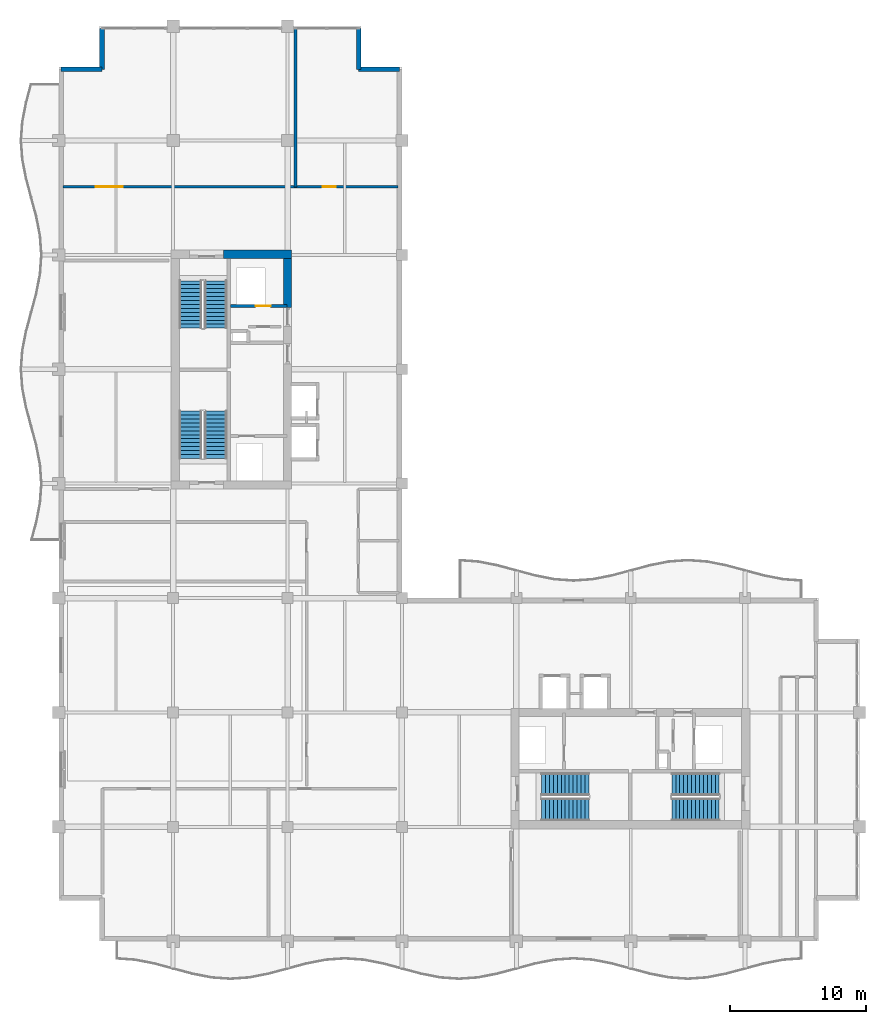
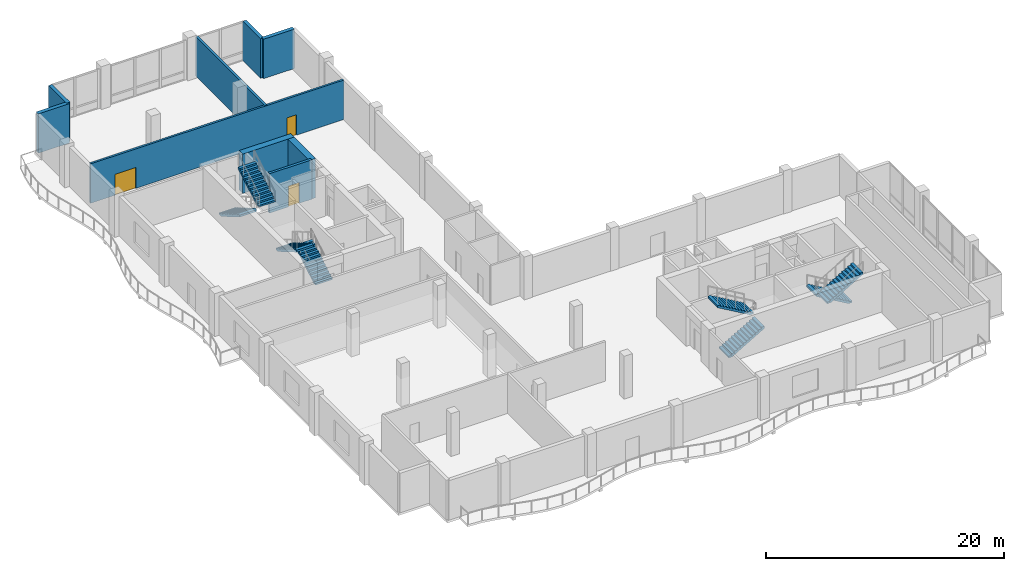
# One storey, part 11 of 15: 9 walls, 8 stair flights, 3 doors, 3 openings, 4 elements without a shape of their own.
"""IFC4 building model written with IfcOpenShell, lengths in metres."""

import ifcopenshell
import ifcopenshell.guid

model = None  # the IFC model being written
_history = None  # IfcOwnerHistory: only IFC2X3 demands one
_inside = {}  # id of a spatial element -> (the spatial element, [elements in it])
_under = {}  # id of a project, library or spatial element -> (it, [spatial elements below it])
_declared = {}  # id of a project -> (the project, [libraries it declares])
_typed = {}  # id of a type object -> (the type object, [elements of that type])
_made_of = {}  # id of a material, layer set ... -> (it, [elements and type objects made of it])


def new_model(schema):
    """Start an empty IFC model of exactly this schema.

    Asked for "IFC4X3", IfcOpenShell would pick the latest addendum, in which some entities
    have other attributes; the version numbers below select the first issue.
    IFC2X3 requires an IfcOwnerHistory on every rooted entity: one is made here for all.
    """
    global model, _history
    if schema == "IFC4X3":
        model = ifcopenshell.file(schema_version=(4, 3, 0, 0))
    else:
        model = ifcopenshell.file(schema=schema)
    _inside.clear()
    _under.clear()
    _declared.clear()
    _typed.clear()
    _made_of.clear()
    _history = None
    if model.schema == "IFC2X3":
        org = make("IfcOrganization", Name="unknown")
        user = make(
            "IfcPersonAndOrganization",
            ThePerson=make("IfcPerson", FamilyName="unknown"),
            TheOrganization=org,
        )
        app = make(
            "IfcApplication",
            ApplicationDeveloper=org,
            Version="unknown",
            ApplicationFullName="unknown",
            ApplicationIdentifier="unknown",
        )
        _history = make(
            "IfcOwnerHistory",
            OwningUser=user,
            OwningApplication=app,
            ChangeAction="ADDED",
            CreationDate=0,
        )
    return model


def make(cls, **values):
    """One entity of the class cls with the attributes given. An attribute that is None is left unset."""
    return model.create_entity(
        cls, **{name: value for name, value in values.items() if value is not None}
    )


def rooted(cls, **values):
    """An entity with a GlobalId (a new one), such as an element, a storey or a relation."""
    return make(cls, GlobalId=ifcopenshell.guid.new(), OwnerHistory=_history, **values)


def si_unit(unit_type, name, prefix=None):
    """IfcSIUnit, for example si_unit("LENGTHUNIT", "METRE", prefix="MILLI")."""
    return make("IfcSIUnit", UnitType=unit_type, Prefix=prefix, Name=name)


def assignment(units):
    """IfcUnitAssignment: the units of a project."""
    return None if units is None else make("IfcUnitAssignment", Units=units)


def point(xyz):
    """IfcCartesianPoint."""
    return None if xyz is None else make("IfcCartesianPoint", Coordinates=xyz)


def direction(xyz):
    """IfcDirection."""
    return None if xyz is None else make("IfcDirection", DirectionRatios=xyz)


def frame(location, z_axis=None, x_axis=None):
    """IfcAxis2Placement3D, a coordinate frame: its origin and axes. An axis left out is left unset."""
    return make(
        "IfcAxis2Placement3D",
        Location=point(location),
        Axis=direction(z_axis),
        RefDirection=direction(x_axis),
    )


def frame_2d(location, x_axis=None):
    """IfcAxis2Placement2D, a coordinate frame in the plane: its origin and x axis."""
    return make(
        "IfcAxis2Placement2D", Location=point(location), RefDirection=direction(x_axis)
    )


def origin():
    """The frame at (0, 0, 0) with its axes left unset."""
    return frame((0.0, 0.0, 0.0))


def place(relative_to, where):
    """IfcLocalPlacement: puts the frame where relative to a parent placement (None: the world)."""
    return make(
        "IfcLocalPlacement", PlacementRelTo=relative_to, RelativePlacement=where
    )


def context(
    kind, dimensions, precision=None, world=None, true_north=None, identifier=None
):
    """IfcGeometricRepresentationContext, for example the 3D "Model" context."""
    return make(
        "IfcGeometricRepresentationContext",
        ContextIdentifier=identifier,
        ContextType=kind,
        CoordinateSpaceDimension=dimensions,
        Precision=precision,
        WorldCoordinateSystem=world,
        TrueNorth=true_north,
    )


def subcontext(parent, identifier, kind, view, scale=None):
    """IfcGeometricRepresentationSubContext, for example "Body" below "Model"."""
    return make(
        "IfcGeometricRepresentationSubContext",
        ContextIdentifier=identifier,
        ContextType=kind,
        ParentContext=parent,
        TargetScale=scale,
        TargetView=view,
    )


def project(units=None, contexts=None):
    """IfcProject with its units and contexts."""
    return rooted(
        "IfcProject",
        Name="project",
        RepresentationContexts=contexts,
        UnitsInContext=assignment(units),
    )


def spatial(cls, under=None, at=None, **own):
    """A site, building, storey or space (cls), placed at a placement, below another one or the project."""
    s = rooted(cls, ObjectPlacement=at, **own)
    if under is not None:
        _under.setdefault(under.id(), (under, []))[1].append(s)
    return s


def polyline(points):
    """IfcPolyline through the points."""
    return make("IfcPolyline", Points=[point(p) for p in points])


def profile(cls, at=None, kind="AREA", **sizes):
    """A parametric profile (cls). Its sizes go by their IFC names, for example OverallWidth=200.0."""
    return make(cls, ProfileType=kind, Position=at, **sizes)


def rectangle(**sizes):
    """IfcRectangleProfileDef."""
    return profile("IfcRectangleProfileDef", **sizes)


def outline(outer, holes=None, kind="AREA"):
    """IfcArbitraryClosedProfileDef: a profile drawn as a closed curve; with holes, ...WithVoids."""
    if holes is None:
        return make("IfcArbitraryClosedProfileDef", ProfileType=kind, OuterCurve=outer)
    return make(
        "IfcArbitraryProfileDefWithVoids",
        ProfileType=kind,
        OuterCurve=outer,
        InnerCurves=holes,
    )


def extrude(swept, where, along, depth):
    """IfcExtrudedAreaSolid: the profile swept, set in the frame where, extruded along a direction by depth."""
    return make(
        "IfcExtrudedAreaSolid",
        SweptArea=swept,
        Position=where,
        ExtrudedDirection=direction(along),
        Depth=depth,
    )


def shape(context_of_items, identifier, shape_type, items):
    """IfcShapeRepresentation: the items that make up one representation, for example the "Body"."""
    return make(
        "IfcShapeRepresentation",
        ContextOfItems=context_of_items,
        RepresentationIdentifier=identifier,
        RepresentationType=shape_type,
        Items=items,
    )


def material(Name=None, Category=None):
    """IfcMaterial."""
    return make("IfcMaterial", Name=Name, Category=Category)


def layer(
    of_material, thickness, ventilated=None, Name=None, Category=None, Priority=None
):
    """IfcMaterialLayer: one layer of a wall or slab, of a material (None: an air gap)."""
    return make(
        "IfcMaterialLayer",
        Material=of_material,
        LayerThickness=thickness,
        IsVentilated=ventilated,
        Name=Name,
        Category=Category,
        Priority=Priority,
    )


def layer_set(layers, Name=None):
    """IfcMaterialLayerSet."""
    return make("IfcMaterialLayerSet", MaterialLayers=layers, LayerSetName=Name)


def made_of(thing, what):
    """Note that an element or type object is made of a material, layer set ...; save() writes the relation."""
    if what is not None:
        _made_of.setdefault(what.id(), (what, []))[1].append(thing)
    return thing


def type_object(cls, material=None, **own):
    """A type object (cls), such as IfcWallType, which elements share."""
    return made_of(rooted(cls, **own), material)


def element(
    cls,
    number,
    at=None,
    inside=None,
    cuts=None,
    type_object=None,
    material=None,
    context=None,
    identifier="Body",
    shape_type=None,
    held_by="IfcProductDefinitionShape",
    body=None,
    shapes=None,
    **own,
):
    """One element of the class cls, such as IfcWall. Its Tag is "e" and its number.

    at: its placement. inside: the storey or other place that contains it. cuts: it is an
    opening in that element (IfcRelVoidsElement). A single representation is given by context,
    identifier, shape_type and body (its items); several are given by shapes. held_by: the class
    of the entity that holds the representations. save() writes the other relations.
    """
    e = rooted(cls, Tag="e%d" % number, ObjectPlacement=at, **own)
    if body is not None:
        shapes = [shape(context, identifier, shape_type, body)]
    if shapes is not None:
        e.Representation = make(held_by, Representations=shapes)
    if inside is not None:
        _inside.setdefault(inside.id(), (inside, []))[1].append(e)
    if cuts is not None:
        rooted(
            "IfcRelVoidsElement", RelatingBuildingElement=cuts, RelatedOpeningElement=e
        )
    if type_object is not None:
        _typed.setdefault(type_object.id(), (type_object, []))[1].append(e)
    return made_of(e, material)


def fill(opening, filler):
    """IfcRelFillsElement: the door or window that sits in an opening."""
    return rooted(
        "IfcRelFillsElement",
        RelatingOpeningElement=opening,
        RelatedBuildingElement=filler,
    )


def aggregate(whole, parts):
    """IfcRelAggregates: a whole, such as a stair, and the parts it consists of."""
    return rooted("IfcRelAggregates", RelatingObject=whole, RelatedObjects=parts)


def save(model, path):
    """Write the relations noted so far, then the file.

    IfcRelAggregates (storeys below a building ...), IfcRelContainedInSpatialStructure (elements
    in a storey), IfcRelDefinesByType, IfcRelAssociatesMaterial and IfcRelDeclares: one each for
    every whole, place, type object, material and project.
    """
    for whole, parts in _under.values():
        aggregate(whole, parts)
    for where, things in _inside.values():
        rooted(
            "IfcRelContainedInSpatialStructure",
            RelatedElements=things,
            RelatingStructure=where,
        )
    for kind, things in _typed.values():
        rooted("IfcRelDefinesByType", RelatedObjects=things, RelatingType=kind)
    for what, things in _made_of.values():
        rooted("IfcRelAssociatesMaterial", RelatedObjects=things, RelatingMaterial=what)
    for by, libraries in _declared.values():
        rooted("IfcRelDeclares", RelatingContext=by, RelatedDefinitions=libraries)
    model.write(path)


model = new_model("IFC4")

# Units and contexts
model_context = context("Model", 3, precision=1e-05, world=origin(), true_north=direction((0.0, 1.0)))
body_context = subcontext(model_context, "Body", "Model", "MODEL_VIEW")
ifc_project = project(units=[si_unit("LENGTHUNIT", "METRE"), si_unit("AREAUNIT", "SQUARE_METRE"), si_unit("VOLUMEUNIT", "CUBIC_METRE"), si_unit("PLANEANGLEUNIT", "RADIAN"), si_unit("MASSUNIT", "GRAM", prefix="KILO")], contexts=[model_context])

# Site, building, storey
site_placement = place(None, origin())
site = spatial("IfcSite", under=ifc_project, at=site_placement, CompositionType="ELEMENT")
building_placement = place(site_placement, origin())
building = spatial("IfcBuilding", under=site, at=building_placement, Name="Koriwani Terraces Tower", CompositionType="ELEMENT")
storey_placement = place(building_placement, frame((0.0, 0.0, 290.39990234375)))
storey = spatial("IfcBuildingStorey", under=building, at=storey_placement, Name="L72", CompositionType="ELEMENT", Elevation=290.39990234375)

# Walls
ifc_material_1 = material(Name="Concrete C60/75", Category="concrete")
ifc_layer_1 = layer(ifc_material_1, 0.60009765625, Name="Concrete C60/75")
ifc_layer_set_1 = layer_set([ifc_layer_1], Name="Concrete C60/75")
wall_type_1 = type_object("IfcWallType", Name="WALL_CORE_RC_600", PredefinedType="SHEAR", material=ifc_layer_set_1)
wall_1_placement = place(storey_placement, frame((20.5, 58.85009765625, 0.0), z_axis=(0.0, 0.0, 1.0), x_axis=(1.0, 0.0, 0.0)))
element("IfcWall", 1, at=wall_1_placement, inside=storey, type_object=wall_type_1, Name="L72 West Split Core Shear Wall N2", PredefinedType="SHEAR", context=body_context, shape_type="SweptSolid", body=[
    extrude(rectangle(XDim=5.0, YDim=0.60009765625, at=frame_2d((2.5, 0.0))), origin(), (0.0, 0.0, 1.0), 4.050048828125),
])
wall_2_placement = place(storey_placement, frame((25.199951171875, 54.949951171875, 0.0), z_axis=(0.0, 0.0, 1.0), x_axis=(0.0, 1.0, 0.0)))
element("IfcWall", 2, at=wall_2_placement, inside=storey, type_object=wall_type_1, Name="L72 West Split Core Shear Wall E3", PredefinedType="SHEAR", context=body_context, shape_type="SweptSolid", body=[
    extrude(rectangle(XDim=3.60009765625, YDim=0.60009765625, at=frame_2d((1.800048828125, 0.0))), origin(), (0.0, 0.0, 1.0), 4.050048828125),
])

# Wall, openings, doors
ifc_material_2 = material(Name="Autoclaved Cellular Concrete Blockwork", Category="masonry")
ifc_layer_2 = layer(ifc_material_2, 0.199951171875, Name="Autoclaved Cellular Concrete Blockwork")
ifc_layer_set_2 = layer_set([ifc_layer_2], Name="Autoclaved Cellular Concrete Blockwork")
wall_type_2 = type_object("IfcWallType", Name="WALL_CORRIDOR_200", PredefinedType="PARTITIONING", material=ifc_layer_set_2)
wall_3_placement = place(storey_placement, frame((8.699951171875, 63.800048828125, 0.0), z_axis=(0.0, 0.0, 1.0), x_axis=(1.0, 0.0, 0.0)))
wall_3 = element("IfcWall", 3, at=wall_3_placement, inside=storey, type_object=wall_type_2, Name="L72 Interior Wall WSKY-N1-L72", PredefinedType="PARTITIONING", context=body_context, shape_type="SweptSolid", body=[
    extrude(rectangle(XDim=24.60009765625, YDim=0.199951171875, at=frame_2d((12.300048828125, 0.0))), origin(), (0.0, 0.0, 1.0), 4.050048828125),
])
opening_1_placement = place(wall_3_placement, frame((2.39990234375, 0.0, 0.0)))
opening_1 = element("IfcOpeningElement", 4, at=opening_1_placement, cuts=wall_3, Name="Opening D-02", PredefinedType="OPENING", context=body_context, shape_type="SweptSolid", body=[
    extrude(rectangle(XDim=2.0, YDim=2.14990234375, at=frame_2d((1.0, 1.074951171875))), frame((0.0, 0.10986328125, 0.0), z_axis=(0.0, -1.0, 0.0), x_axis=(1.0, 0.0, 0.0)), (0.0, 0.0, 1.0), 0.219970703125),
])
opening_2_placement = place(wall_3_placement, frame((19.10009765625, 0.0, 0.0)))
opening_2 = element("IfcOpeningElement", 5, at=opening_2_placement, cuts=wall_3, Name="Opening D-06", PredefinedType="OPENING", context=body_context, shape_type="SweptSolid", body=[
    extrude(rectangle(XDim=0.919921875, YDim=2.10009765625, at=frame_2d((0.4599609375, 1.050048828125))), frame((0.0, 0.10986328125, 0.0), z_axis=(0.0, -1.0, 0.0), x_axis=(1.0, 0.0, 0.0)), (0.0, 0.0, 1.0), 0.219970703125),
])
ifc_material_3 = material(Name="Anodised Bronze Aluminium", Category="aluminium")
door_type_1 = type_object("IfcDoorType", Name="DOOR_ENTRANCE_DOUBLE_2000X2400", OperationType="NOTDEFINED", PredefinedType="DOOR", material=ifc_material_3)
door_1_placement = place(opening_1_placement, origin())
door_1 = element("IfcDoor", 6, at=door_1_placement, inside=storey, type_object=door_type_1, Name="L72 North Wellness Studio Door", OperationType="SINGLE_SWING_RIGHT", OverallHeight=2.14990234375, OverallWidth=2.0, PredefinedType="DOOR", context=body_context, shape_type="SweptSolid", body=[
    extrude(rectangle(XDim=2.0, YDim=2.14990234375, at=frame_2d((1.0, 1.074951171875))), frame((0.0, 0.02490234375, 0.0), z_axis=(0.0, -1.0, 0.0), x_axis=(1.0, 0.0, 0.0)), (0.0, 0.0, 1.0), 0.050048828125),
])
fill(opening_1, door_1)
ifc_material_4 = material(Name="Architectural Oak Fire Door", Category="wood")
door_type_2 = type_object("IfcDoorType", Name="DOOR_ROOM_INT_920X2100", OperationType="NOTDEFINED", PredefinedType="DOOR", material=ifc_material_4)
door_2_placement = place(opening_2_placement, origin())
door_2 = element("IfcDoor", 7, at=door_2_placement, inside=storey, type_object=door_type_2, Name="L72 North Observatory Salon Door", OperationType="SINGLE_SWING_LEFT", OverallHeight=2.10009765625, OverallWidth=0.919921875, PredefinedType="DOOR", context=body_context, shape_type="SweptSolid", body=[
    extrude(rectangle(XDim=0.919921875, YDim=2.10009765625, at=frame_2d((0.4599609375, 1.050048828125))), frame((0.0, 0.02490234375, 0.0), z_axis=(0.0, -1.0, 0.0), x_axis=(1.0, 0.0, 0.0)), (0.0, 0.0, 1.0), 0.050048828125),
])
fill(opening_2, door_2)

# Walls
ifc_layer_3 = layer(ifc_material_2, 0.219970703125, Name="Autoclaved Cellular Concrete Blockwork")
ifc_layer_set_3 = layer_set([ifc_layer_3], Name="Autoclaved Cellular Concrete Blockwork")
wall_type_3 = type_object("IfcWallType", Name="WALL_DEMISING_220", PredefinedType="PARTITIONING", material=ifc_layer_set_3)
wall_4_placement = place(storey_placement, frame((25.800048828125, 63.800048828125, 0.0), z_axis=(0.0, 0.0, 1.0), x_axis=(0.0, 1.0, 0.0)))
element("IfcWall", 8, at=wall_4_placement, inside=storey, type_object=wall_type_3, Name="L72 Interior Wall WSKY-NDIV-L72", PredefinedType="PARTITIONING", context=body_context, shape_type="SweptSolid", body=[
    extrude(rectangle(XDim=11.64990234375, YDim=0.219970703125, at=frame_2d((5.824951171875, 0.0))), origin(), (0.0, 0.0, 1.0), 4.050048828125),
])
ifc_material_5 = material(Name="Concrete C50/60", Category="concrete")
ifc_layer_4 = layer(ifc_material_5, 0.35009765625, Name="Concrete C50/60")
ifc_layer_set_4 = layer_set([ifc_layer_4], Name="Concrete C50/60")
wall_type_4 = type_object("IfcWallType", Name="WALL_EXT_BRUTALIST_350", PredefinedType="STANDARD", material=ifc_layer_set_4)
for number, where, z_axis, x_axis, name in (
    (9, (8.574951171875, 72.425048828125, 0.0), (0.0, 0.0, 1.0), (1.0, 0.0, 0.0), "L72 Fair-Faced Brutalist Exterior Wall (N3)"),
    (10, (11.574951171875, 72.425048828125, 0.0), (0.0, 0.0, 1.0), (0.0, 1.0, 0.0), "L72 Fair-Faced Brutalist Exterior Wall (N4)"),
    (11, (30.425048828125, 75.425048828125, 0.0), (0.0, 0.0, 1.0), (0.0, -1.0, 0.0), "L72 Fair-Faced Brutalist Exterior Wall (N6)"),
    (12, (30.425048828125, 72.425048828125, 0.0), (0.0, 0.0, 1.0), (1.0, 0.0, 0.0), "L72 Fair-Faced Brutalist Exterior Wall (N7)"),
):
    element("IfcWall", number, at=place(storey_placement, frame(where, z_axis=z_axis, x_axis=x_axis)), inside=storey, type_object=wall_type_4, Name=name, PredefinedType="STANDARD", context=body_context, shape_type="SweptSolid", body=[
        extrude(rectangle(XDim=3.0, YDim=0.35009765625, at=frame_2d((1.5, 0.0))), origin(), (0.0, 0.0, 1.0), 4.050048828125),
    ])

# Wall, opening, door
ifc_material_6 = material(Name="Concrete C40/50", Category="concrete")
ifc_layer_5 = layer(ifc_material_6, 0.25, Name="Concrete C40/50")
ifc_layer_set_5 = layer_set([ifc_layer_5], Name="Concrete C40/50")
wall_type_5 = type_object("IfcWallType", Name="WALL_SHAFT_RATED_250", PredefinedType="SOLIDWALL", material=ifc_layer_set_5)
wall_5_placement = place(storey_placement, frame((21.0, 55.050048828125, 0.0), z_axis=(0.0, 0.0, 1.0), x_axis=(1.0, 0.0, 0.0)))
wall_5 = element("IfcWall", 13, at=wall_5_placement, inside=storey, type_object=wall_type_5, Name="L72 Interior Wall WIN-CW-L72-SE", PredefinedType="SOLIDWALL", context=body_context, shape_type="SweptSolid", body=[
    extrude(rectangle(XDim=4.14990234375, YDim=0.25, at=frame_2d((2.074951171875, 0.0))), origin(), (0.0, 0.0, 1.0), 4.050048828125),
])
opening_3_placement = place(wall_5_placement, frame((1.85009765625, 0.0, 0.0)))
opening_3 = element("IfcOpeningElement", 14, at=opening_3_placement, cuts=wall_5, Name="Opening LD-01", PredefinedType="OPENING", context=body_context, shape_type="SweptSolid", body=[
    extrude(rectangle(XDim=1.10009765625, YDim=2.14990234375, at=frame_2d((0.550048828125, 1.074951171875))), frame((0.0, 0.135009765625, 0.0), z_axis=(0.0, -1.0, 0.0), x_axis=(1.0, 0.0, 0.0)), (0.0, 0.0, 1.0), 0.27001953125),
])
ifc_material_7 = material(Name="Steel ASTM A572 Grade 50", Category="steel")
door_type_3 = type_object("IfcDoorType", Name="DOOR_LIFT_LANDING_1100X2200", OperationType="NOTDEFINED", PredefinedType="DOOR", material=ifc_material_7)
door_3_placement = place(opening_3_placement, origin())
door_3 = element("IfcDoor", 15, at=door_3_placement, inside=storey, type_object=door_type_3, Name="L72 Goods Lift SE-01 Landing Door", OperationType="SLIDING_TO_LEFT", OverallHeight=2.14990234375, OverallWidth=1.10009765625, PredefinedType="DOOR", context=body_context, shape_type="SweptSolid", body=[
    extrude(rectangle(XDim=1.10009765625, YDim=2.14990234375, at=frame_2d((0.550048828125, 1.074951171875))), frame((0.0, 0.02490234375, 0.0), z_axis=(0.0, -1.0, 0.0), x_axis=(1.0, 0.0, 0.0)), (0.0, 0.0, 1.0), 0.050048828125),
])
fill(opening_3, door_3)

# Stair, stair flights
stair_type = type_object("IfcStairType", Name="STAIR_CORE_DOGLEG_1650", PredefinedType="TWO_STRAIGHT_RUN_STAIR", material=ifc_material_6)
stair_1_placement = place(storey_placement, origin())
stair_1 = element("IfcStair", 16, at=stair_1_placement, inside=storey, type_object=stair_type, Name="L72 West Core Exit Stair 1", PredefinedType="HALF_TURN_STAIR")
stair_flight_type = type_object("IfcStairFlightType", Name="STAIR_FLIGHT_RC_1650", PredefinedType="STRAIGHT", material=ifc_material_6)
stair_flight_1_placement = place(storey_placement, frame((19.925048828125, 43.85009765625, 0.0), z_axis=(0.0, 0.0, 1.0), x_axis=(0.0, 1.0, 0.0)))
stair_flight_1 = element("IfcStairFlight", 17, at=stair_flight_1_placement, type_object=stair_flight_type, Name="ST-W1 flight 1", NumberOfRisers=13, NumberOfTreads=12, PredefinedType="STRAIGHT", RiserHeight=0.169230769, TreadLength=0.29, context=body_context, shape_type="SweptSolid", body=[
    extrude(outline(polyline([(0.0, 0.0), (0.0, 0.169189453125), (0.2900390625, 0.169189453125), (0.2900390625, 0.33837890625), (0.580078125, 0.33837890625), (0.580078125, 0.5078125), (0.8701171875, 0.5078125), (0.8701171875, 0.677001953125), (1.159912109375, 0.677001953125), (1.159912109375, 0.84619140625), (1.449951171875, 0.84619140625), (1.449951171875, 1.015380859375), (1.739990234375, 1.015380859375), (1.739990234375, 1.1845703125), (2.030029296875, 1.1845703125), (2.030029296875, 1.353759765625), (2.320068359375, 1.353759765625), (2.320068359375, 1.523193359375), (2.610107421875, 1.523193359375), (2.610107421875, 1.6923828125), (2.89990234375, 1.6923828125), (2.89990234375, 1.861572265625), (3.18994140625, 1.861572265625), (3.18994140625, 2.03076171875), (3.47998046875, 2.03076171875), (3.47998046875, 2.199951171875), (3.47998046875, 1.822509765625), (0.35693359375, 0.0), (0.0, 0.0)])), frame((0.0, 0.824951171875, 0.0), z_axis=(0.0, -1.0, 0.0), x_axis=(1.0, 0.0, 0.0)), (0.0, 0.0, 1.0), 1.64990234375),
])
stair_flight_2_placement = place(storey_placement, frame((18.074951171875, 47.330078125, 2.2001953125), z_axis=(0.0, 0.0, 1.0), x_axis=(0.0, -1.0, 0.0)))
stair_flight_2 = element("IfcStairFlight", 18, at=stair_flight_2_placement, type_object=stair_flight_type, Name="ST-W1 flight 2", NumberOfRisers=13, NumberOfTreads=12, PredefinedType="STRAIGHT", RiserHeight=0.169230769, TreadLength=0.29, context=body_context, shape_type="SweptSolid", body=[
    extrude(outline(polyline([(0.0, 0.0), (0.0, 0.169189453125), (0.2900390625, 0.169189453125), (0.2900390625, 0.33837890625), (0.580078125, 0.33837890625), (0.580078125, 0.5078125), (0.8701171875, 0.5078125), (0.8701171875, 0.677001953125), (1.159912109375, 0.677001953125), (1.159912109375, 0.84619140625), (1.449951171875, 0.84619140625), (1.449951171875, 1.015380859375), (1.739990234375, 1.015380859375), (1.739990234375, 1.1845703125), (2.030029296875, 1.1845703125), (2.030029296875, 1.353759765625), (2.320068359375, 1.353759765625), (2.320068359375, 1.523193359375), (2.610107421875, 1.523193359375), (2.610107421875, 1.6923828125), (2.89990234375, 1.6923828125), (2.89990234375, 1.861572265625), (3.18994140625, 1.861572265625), (3.18994140625, 2.03076171875), (3.47998046875, 2.03076171875), (3.47998046875, 2.199951171875), (3.47998046875, 1.822509765625), (0.35693359375, 0.0), (0.0, 0.0)])), frame((0.0, 0.824951171875, 0.0), z_axis=(0.0, -1.0, 0.0), x_axis=(1.0, 0.0, 0.0)), (0.0, 0.0, 1.0), 1.64990234375),
])
aggregate(stair_1, [stair_flight_1, stair_flight_2])

stair_2_placement = place(storey_placement, origin())
stair_2 = element("IfcStair", 19, at=stair_2_placement, inside=storey, type_object=stair_type, Name="L72 West Core Exit Stair 2", PredefinedType="HALF_TURN_STAIR")
stair_flight_3_placement = place(storey_placement, frame((18.074951171875, 56.89990234375, 0.0), z_axis=(0.0, 0.0, 1.0), x_axis=(0.0, -1.0, 0.0)))
stair_flight_3 = element("IfcStairFlight", 20, at=stair_flight_3_placement, type_object=stair_flight_type, Name="ST-W2 flight 1", NumberOfRisers=13, NumberOfTreads=12, PredefinedType="STRAIGHT", RiserHeight=0.169230769, TreadLength=0.29, context=body_context, shape_type="SweptSolid", body=[
    extrude(outline(polyline([(0.0, 0.0), (0.0, 0.169189453125), (0.2900390625, 0.169189453125), (0.2900390625, 0.33837890625), (0.580078125, 0.33837890625), (0.580078125, 0.5078125), (0.8701171875, 0.5078125), (0.8701171875, 0.677001953125), (1.159912109375, 0.677001953125), (1.159912109375, 0.84619140625), (1.449951171875, 0.84619140625), (1.449951171875, 1.015380859375), (1.739990234375, 1.015380859375), (1.739990234375, 1.1845703125), (2.030029296875, 1.1845703125), (2.030029296875, 1.353759765625), (2.320068359375, 1.353759765625), (2.320068359375, 1.523193359375), (2.610107421875, 1.523193359375), (2.610107421875, 1.6923828125), (2.89990234375, 1.6923828125), (2.89990234375, 1.861572265625), (3.18994140625, 1.861572265625), (3.18994140625, 2.03076171875), (3.47998046875, 2.03076171875), (3.47998046875, 2.199951171875), (3.47998046875, 1.822509765625), (0.35693359375, 0.0), (0.0, 0.0)])), frame((0.0, 0.824951171875, 0.0), z_axis=(0.0, -1.0, 0.0), x_axis=(1.0, 0.0, 0.0)), (0.0, 0.0, 1.0), 1.64990234375),
])
stair_flight_4_placement = place(storey_placement, frame((19.925048828125, 53.419921875, 2.2001953125), z_axis=(0.0, 0.0, 1.0), x_axis=(0.0, 1.0, 0.0)))
stair_flight_4 = element("IfcStairFlight", 21, at=stair_flight_4_placement, type_object=stair_flight_type, Name="ST-W2 flight 2", NumberOfRisers=13, NumberOfTreads=12, PredefinedType="STRAIGHT", RiserHeight=0.169230769, TreadLength=0.29, context=body_context, shape_type="SweptSolid", body=[
    extrude(outline(polyline([(0.0, 0.0), (0.0, 0.169189453125), (0.2900390625, 0.169189453125), (0.2900390625, 0.33837890625), (0.580078125, 0.33837890625), (0.580078125, 0.5078125), (0.8701171875, 0.5078125), (0.8701171875, 0.677001953125), (1.159912109375, 0.677001953125), (1.159912109375, 0.84619140625), (1.449951171875, 0.84619140625), (1.449951171875, 1.015380859375), (1.739990234375, 1.015380859375), (1.739990234375, 1.1845703125), (2.030029296875, 1.1845703125), (2.030029296875, 1.353759765625), (2.320068359375, 1.353759765625), (2.320068359375, 1.523193359375), (2.610107421875, 1.523193359375), (2.610107421875, 1.6923828125), (2.89990234375, 1.6923828125), (2.89990234375, 1.861572265625), (3.18994140625, 1.861572265625), (3.18994140625, 2.03076171875), (3.47998046875, 2.03076171875), (3.47998046875, 2.199951171875), (3.47998046875, 1.822509765625), (0.35693359375, 0.0), (0.0, 0.0)])), frame((0.0, 0.824951171875, 0.0), z_axis=(0.0, -1.0, 0.0), x_axis=(1.0, 0.0, 0.0)), (0.0, 0.0, 1.0), 1.64990234375),
])
aggregate(stair_2, [stair_flight_3, stair_flight_4])

stair_3_placement = place(storey_placement, origin())
stair_3 = element("IfcStair", 22, at=stair_3_placement, inside=storey, type_object=stair_type, Name="L72 East Core Exit Stair 1", PredefinedType="HALF_TURN_STAIR")
stair_flight_5_placement = place(storey_placement, frame((43.85009765625, 18.074951171875, 0.0), z_axis=(0.0, 0.0, 1.0), x_axis=(1.0, 0.0, 0.0)))
stair_flight_5 = element("IfcStairFlight", 23, at=stair_flight_5_placement, type_object=stair_flight_type, Name="ST-E1 flight 1", NumberOfRisers=13, NumberOfTreads=12, PredefinedType="STRAIGHT", RiserHeight=0.169230769, TreadLength=0.29, context=body_context, shape_type="SweptSolid", body=[
    extrude(outline(polyline([(0.0, 0.0), (0.0, 0.169189453125), (0.2900390625, 0.169189453125), (0.2900390625, 0.33837890625), (0.580078125, 0.33837890625), (0.580078125, 0.5078125), (0.8701171875, 0.5078125), (0.8701171875, 0.677001953125), (1.159912109375, 0.677001953125), (1.159912109375, 0.84619140625), (1.449951171875, 0.84619140625), (1.449951171875, 1.015380859375), (1.739990234375, 1.015380859375), (1.739990234375, 1.1845703125), (2.030029296875, 1.1845703125), (2.030029296875, 1.353759765625), (2.320068359375, 1.353759765625), (2.320068359375, 1.523193359375), (2.610107421875, 1.523193359375), (2.610107421875, 1.6923828125), (2.89990234375, 1.6923828125), (2.89990234375, 1.861572265625), (3.18994140625, 1.861572265625), (3.18994140625, 2.03076171875), (3.47998046875, 2.03076171875), (3.47998046875, 2.199951171875), (3.47998046875, 1.822509765625), (0.35693359375, 0.0), (0.0, 0.0)])), frame((0.0, 0.824951171875, 0.0), z_axis=(0.0, -1.0, 0.0), x_axis=(1.0, 0.0, 0.0)), (0.0, 0.0, 1.0), 1.64990234375),
])
stair_flight_6_placement = place(storey_placement, frame((47.330078125, 19.925048828125, 2.2001953125), z_axis=(0.0, 0.0, 1.0), x_axis=(-1.0, 0.0, 0.0)))
stair_flight_6 = element("IfcStairFlight", 24, at=stair_flight_6_placement, type_object=stair_flight_type, Name="ST-E1 flight 2", NumberOfRisers=13, NumberOfTreads=12, PredefinedType="STRAIGHT", RiserHeight=0.169230769, TreadLength=0.29, context=body_context, shape_type="SweptSolid", body=[
    extrude(outline(polyline([(0.0, 0.0), (0.0, 0.169189453125), (0.2900390625, 0.169189453125), (0.2900390625, 0.33837890625), (0.580078125, 0.33837890625), (0.580078125, 0.5078125), (0.8701171875, 0.5078125), (0.8701171875, 0.677001953125), (1.159912109375, 0.677001953125), (1.159912109375, 0.84619140625), (1.449951171875, 0.84619140625), (1.449951171875, 1.015380859375), (1.739990234375, 1.015380859375), (1.739990234375, 1.1845703125), (2.030029296875, 1.1845703125), (2.030029296875, 1.353759765625), (2.320068359375, 1.353759765625), (2.320068359375, 1.523193359375), (2.610107421875, 1.523193359375), (2.610107421875, 1.6923828125), (2.89990234375, 1.6923828125), (2.89990234375, 1.861572265625), (3.18994140625, 1.861572265625), (3.18994140625, 2.03076171875), (3.47998046875, 2.03076171875), (3.47998046875, 2.199951171875), (3.47998046875, 1.822509765625), (0.35693359375, 0.0), (0.0, 0.0)])), frame((0.0, 0.824951171875, 0.0), z_axis=(0.0, -1.0, 0.0), x_axis=(1.0, 0.0, 0.0)), (0.0, 0.0, 1.0), 1.64990234375),
])
aggregate(stair_3, [stair_flight_5, stair_flight_6])

stair_4_placement = place(storey_placement, origin())
stair_4 = element("IfcStair", 25, at=stair_4_placement, inside=storey, type_object=stair_type, Name="L72 East Core Exit Stair 2", PredefinedType="HALF_TURN_STAIR")
stair_flight_7_placement = place(storey_placement, frame((56.89990234375, 19.925048828125, 0.0), z_axis=(0.0, 0.0, 1.0), x_axis=(-1.0, 0.0, 0.0)))
stair_flight_7 = element("IfcStairFlight", 26, at=stair_flight_7_placement, type_object=stair_flight_type, Name="ST-E2 flight 1", NumberOfRisers=13, NumberOfTreads=12, PredefinedType="STRAIGHT", RiserHeight=0.169230769, TreadLength=0.29, context=body_context, shape_type="SweptSolid", body=[
    extrude(outline(polyline([(0.0, 0.0), (0.0, 0.169189453125), (0.2900390625, 0.169189453125), (0.2900390625, 0.33837890625), (0.580078125, 0.33837890625), (0.580078125, 0.5078125), (0.8701171875, 0.5078125), (0.8701171875, 0.677001953125), (1.159912109375, 0.677001953125), (1.159912109375, 0.84619140625), (1.449951171875, 0.84619140625), (1.449951171875, 1.015380859375), (1.739990234375, 1.015380859375), (1.739990234375, 1.1845703125), (2.030029296875, 1.1845703125), (2.030029296875, 1.353759765625), (2.320068359375, 1.353759765625), (2.320068359375, 1.523193359375), (2.610107421875, 1.523193359375), (2.610107421875, 1.6923828125), (2.89990234375, 1.6923828125), (2.89990234375, 1.861572265625), (3.18994140625, 1.861572265625), (3.18994140625, 2.03076171875), (3.47998046875, 2.03076171875), (3.47998046875, 2.199951171875), (3.47998046875, 1.822509765625), (0.35693359375, 0.0), (0.0, 0.0)])), frame((0.0, 0.824951171875, 0.0), z_axis=(0.0, -1.0, 0.0), x_axis=(1.0, 0.0, 0.0)), (0.0, 0.0, 1.0), 1.64990234375),
])
stair_flight_8_placement = place(storey_placement, frame((53.419921875, 18.074951171875, 2.2001953125), z_axis=(0.0, 0.0, 1.0), x_axis=(1.0, 0.0, 0.0)))
stair_flight_8 = element("IfcStairFlight", 27, at=stair_flight_8_placement, type_object=stair_flight_type, Name="ST-E2 flight 2", NumberOfRisers=13, NumberOfTreads=12, PredefinedType="STRAIGHT", RiserHeight=0.169230769, TreadLength=0.29, context=body_context, shape_type="SweptSolid", body=[
    extrude(outline(polyline([(0.0, 0.0), (0.0, 0.169189453125), (0.2900390625, 0.169189453125), (0.2900390625, 0.33837890625), (0.580078125, 0.33837890625), (0.580078125, 0.5078125), (0.8701171875, 0.5078125), (0.8701171875, 0.677001953125), (1.159912109375, 0.677001953125), (1.159912109375, 0.84619140625), (1.449951171875, 0.84619140625), (1.449951171875, 1.015380859375), (1.739990234375, 1.015380859375), (1.739990234375, 1.1845703125), (2.030029296875, 1.1845703125), (2.030029296875, 1.353759765625), (2.320068359375, 1.353759765625), (2.320068359375, 1.523193359375), (2.610107421875, 1.523193359375), (2.610107421875, 1.6923828125), (2.89990234375, 1.6923828125), (2.89990234375, 1.861572265625), (3.18994140625, 1.861572265625), (3.18994140625, 2.03076171875), (3.47998046875, 2.03076171875), (3.47998046875, 2.199951171875), (3.47998046875, 1.822509765625), (0.35693359375, 0.0), (0.0, 0.0)])), frame((0.0, 0.824951171875, 0.0), z_axis=(0.0, -1.0, 0.0), x_axis=(1.0, 0.0, 0.0)), (0.0, 0.0, 1.0), 1.64990234375),
])
aggregate(stair_4, [stair_flight_7, stair_flight_8])

save(model, "model.ifc")
